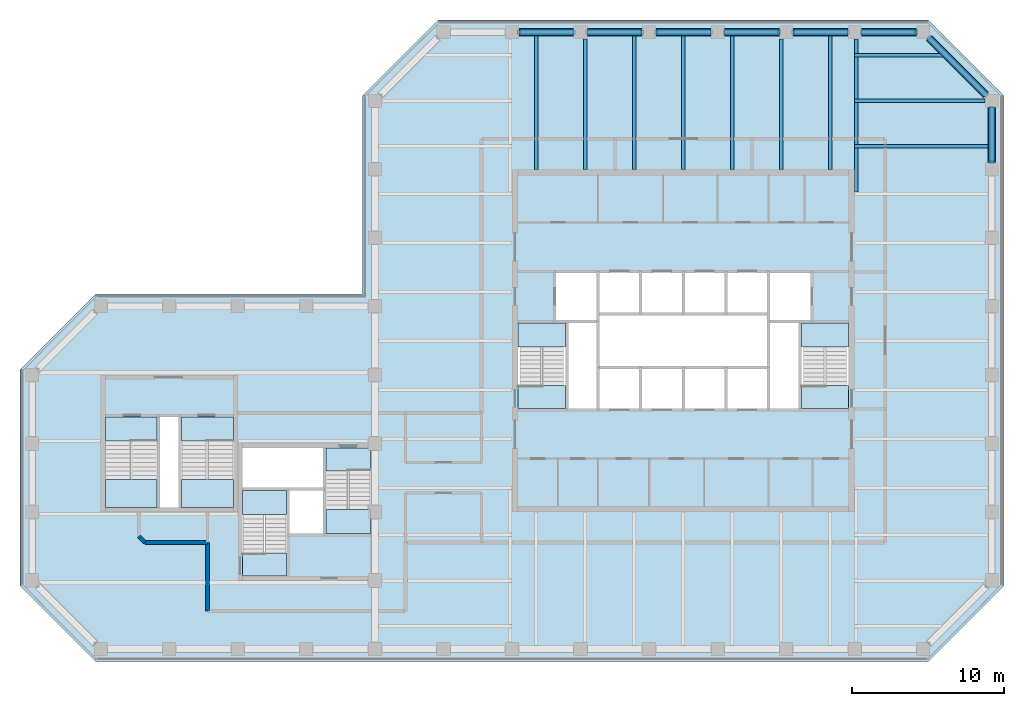
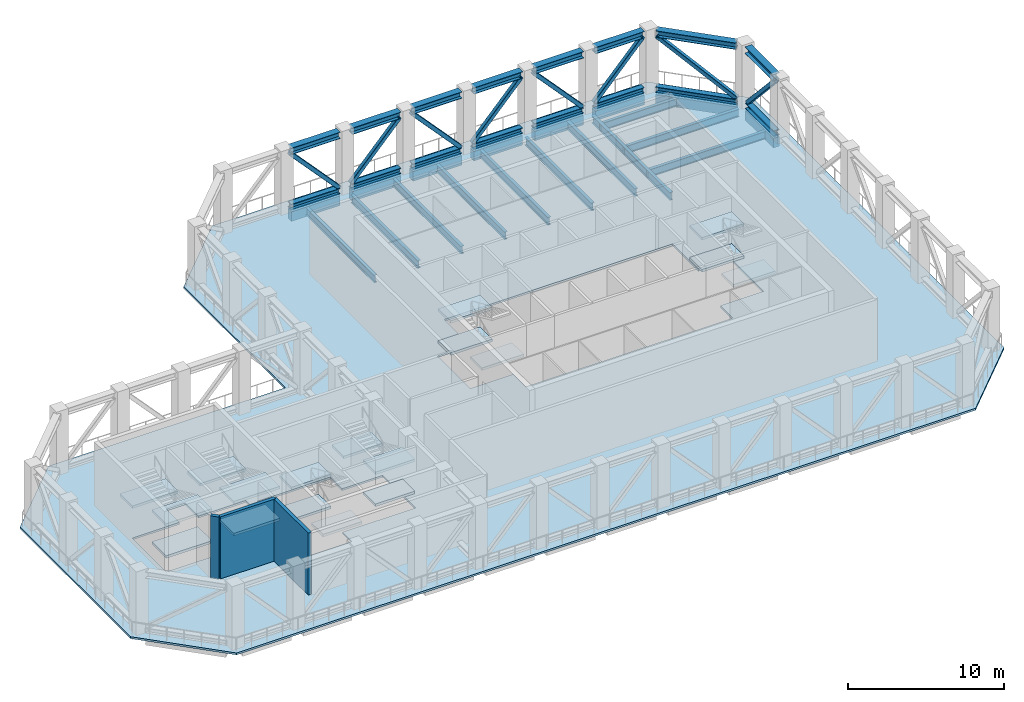
# One storey, part 3 of 13: 24 members, 19 beams, 19 slabs, 3 walls, 6 elements without a shape of their own.
"""IFC4 building model written with IfcOpenShell, lengths in metres."""

from ifc_helpers import new_model, si_unit, direction, frame, frame_2d, origin, origin_2d, place, context, subcontext, project, spatial, polyline, rectangle, hollow_rectangle, i_section, outline, extrude, material, layer, layer_set, material_profile, profile_set, type_object, element, aggregate, save


model = new_model("IFC4")

# Units and contexts
model_context = context("Model", 3, precision=1e-05, world=origin(), true_north=direction((0.0, 1.0)))
body_context = subcontext(model_context, "Body", "Model", "MODEL_VIEW")
ifc_project = project(units=[si_unit("LENGTHUNIT", "METRE"), si_unit("AREAUNIT", "SQUARE_METRE"), si_unit("VOLUMEUNIT", "CUBIC_METRE"), si_unit("PLANEANGLEUNIT", "RADIAN"), si_unit("MASSUNIT", "GRAM", prefix="KILO")], contexts=[model_context])

# Site, building, storey
site_placement = place(None, origin())
site = spatial("IfcSite", under=ifc_project, at=site_placement, CompositionType="ELEMENT")
building_placement = place(site_placement, origin())
building = spatial("IfcBuilding", under=site, at=building_placement, Name="Quoin Convention Tower", CompositionType="ELEMENT")
storey_placement = place(building_placement, frame((0.0, 0.0, 206.89990234375)))
storey = spatial("IfcBuildingStorey", under=building, at=storey_placement, Name="L54", CompositionType="ELEMENT", Elevation=206.89990234375)

# Members
ifc_material_1 = material(Name="Steel C450L0", Category="steel")
ifc_material_profile_1 = material_profile(ifc_material_1, hollow_rectangle(XDim=0.300048828125, YDim=0.300048828125, WallThickness=0.012451171875, InnerFilletRadius=0.018798828125, OuterFilletRadius=0.03125, at=origin_2d()), Name="300x300x12.5SHS")
ifc_profile_set_1 = profile_set([ifc_material_profile_1], Name="Steel C450L0")
member_type_1 = type_object("IfcMemberType", Name="300x300x12.5SHS", PredefinedType="BRACE", material=ifc_profile_set_1)
member_1_placement = place(storey_placement, frame((76.5, 76.050048828125, 0.422119140625), z_axis=(0.0, -0.676970994277, 0.736009696205), x_axis=(1.0, 0.0, 0.0)))
element("IfcMember", 1, at=member_1_placement, inside=storey, type_object=member_type_1, Name="Belt truss L54 diagonal 76500_72000-76500_76500", PredefinedType="BRACE", context=body_context, shape_type="SweptSolid", body=[
    extrude(hollow_rectangle(XDim=0.300048828125, YDim=0.300048828125, WallThickness=0.012451171875, InnerFilletRadius=0.018798828125, OuterFilletRadius=0.03125, at=origin_2d()), origin(), (0.0, 0.0, 1.0), 5.31787109375),
])
member_2_placement = place(storey_placement, frame((76.135009765625, 76.864990234375, 0.422119140625), z_axis=(-0.56999956755, 0.56999956755, 0.591777818091), x_axis=(-0.707106781187, -0.707106781187, 0.0)))
element("IfcMember", 2, at=member_2_placement, inside=storey, type_object=member_type_1, Name="Belt truss L54 diagonal 76500_76500-72000_81000", PredefinedType="BRACE", context=body_context, shape_type="SweptSolid", body=[
    extrude(hollow_rectangle(XDim=0.300048828125, YDim=0.300048828125, WallThickness=0.012451171875, InnerFilletRadius=0.018798828125, OuterFilletRadius=0.03125, at=origin_2d()), origin(), (0.0, 0.0, 1.0), 6.614013671875),
])
for number, where, z_axis, x_axis, name in (
    (3, (67.949951171875, 81.0, 0.422119140625), (0.676970994277, 0.0, 0.736009696205), (0.0, 1.0, 0.0), "Belt truss L54 diagonal 72000_81000-67500_81000"),
    (4, (67.050048828125, 81.0, 0.422119140625), (-0.676970994277, 0.0, 0.736009696205), (0.0, -1.0, 0.0), "Belt truss L54 diagonal 67500_81000-63000_81000"),
    (5, (58.949951171875, 81.0, 0.422119140625), (0.676970994277, 0.0, 0.736009696205), (0.0, 1.0, 0.0), "Belt truss L54 diagonal 63000_81000-58500_81000"),
    (6, (58.050048828125, 81.0, 0.422119140625), (-0.676970994277, 0.0, 0.736009696205), (0.0, -1.0, 0.0), "Belt truss L54 diagonal 58500_81000-54000_81000"),
    (7, (49.949951171875, 81.0, 0.422119140625), (0.676970994277, 0.0, 0.736009696205), (0.0, 1.0, 0.0), "Belt truss L54 diagonal 54000_81000-49500_81000"),
    (8, (49.050048828125, 81.0, 0.422119140625), (-0.676970994277, 0.0, 0.736009696205), (0.0, -1.0, 0.0), "Belt truss L54 diagonal 49500_81000-45000_81000"),
):
    element("IfcMember", number, at=place(storey_placement, frame(where, z_axis=z_axis, x_axis=x_axis)), inside=storey, type_object=member_type_1, Name=name, PredefinedType="BRACE", context=body_context, shape_type="SweptSolid", body=[
        extrude(hollow_rectangle(XDim=0.300048828125, YDim=0.300048828125, WallThickness=0.012451171875, InnerFilletRadius=0.018798828125, OuterFilletRadius=0.03125, at=origin_2d()), origin(), (0.0, 0.0, 1.0), 5.31787109375),
    ])
ifc_material_2 = material(Name="Steel Grade 300", Category="steel")
ifc_material_profile_2 = material_profile(ifc_material_2, i_section(OverallWidth=0.39990234375, OverallDepth=0.422119140625, WebThickness=0.028076171875, FlangeThickness=0.035888671875, at=origin_2d()), Name="400WC303")
ifc_profile_set_2 = profile_set([ifc_material_profile_2], Name="Steel Grade 300")
member_type_2 = type_object("IfcMemberType", Name="400WC303", PredefinedType="CHORD", material=ifc_profile_set_2)
member_3_placement = place(storey_placement, frame((76.5, 72.449951171875, 0.211181640625), z_axis=(0.0, 1.0, 0.0), x_axis=(-1.0, 0.0, 0.0)))
element("IfcMember", 9, at=member_3_placement, inside=storey, type_object=member_type_2, Name="Belt truss L54 bottom chord 76500_72000-76500_76500", PredefinedType="CHORD", context=body_context, shape_type="SweptSolid", body=[
    extrude(i_section(OverallWidth=0.39990234375, OverallDepth=0.422119140625, WebThickness=0.028076171875, FlangeThickness=0.035888671875, at=origin_2d()), origin(), (0.0, 0.0, 1.0), 3.60009765625),
])
member_4_placement = place(storey_placement, frame((76.135009765625, 76.864990234375, 0.211181640625), z_axis=(-0.707106781187, 0.707106781187, 0.0), x_axis=(-0.707106781187, -0.707106781187, 0.0)))
element("IfcMember", 10, at=member_4_placement, inside=storey, type_object=member_type_2, Name="Belt truss L54 bottom chord 76500_76500-72000_81000", PredefinedType="CHORD", context=body_context, shape_type="SweptSolid", body=[
    extrude(i_section(OverallWidth=0.39990234375, OverallDepth=0.422119140625, WebThickness=0.028076171875, FlangeThickness=0.035888671875, at=origin_2d()), origin(), (0.0, 0.0, 1.0), 5.33154296875),
])
for number, where, z_axis, x_axis, name in (
    (11, (71.550048828125, 81.0, 0.211181640625), (-1.0, 0.0, 0.0), (0.0, -1.0, 0.0), "Belt truss L54 bottom chord 72000_81000-67500_81000"),
    (12, (67.050048828125, 81.0, 0.211181640625), (-1.0, 0.0, 0.0), (0.0, -1.0, 0.0), "Belt truss L54 bottom chord 67500_81000-63000_81000"),
    (13, (62.550048828125, 81.0, 0.211181640625), (-1.0, 0.0, 0.0), (0.0, -1.0, 0.0), "Belt truss L54 bottom chord 63000_81000-58500_81000"),
    (14, (58.050048828125, 81.0, 0.211181640625), (-1.0, 0.0, 0.0), (0.0, -1.0, 0.0), "Belt truss L54 bottom chord 58500_81000-54000_81000"),
    (15, (53.550048828125, 81.0, 0.211181640625), (-1.0, 0.0, 0.0), (0.0, -1.0, 0.0), "Belt truss L54 bottom chord 54000_81000-49500_81000"),
    (16, (49.050048828125, 81.0, 0.211181640625), (-1.0, 0.0, 0.0), (0.0, -1.0, 0.0), "Belt truss L54 bottom chord 49500_81000-45000_81000"),
):
    element("IfcMember", number, at=place(storey_placement, frame(where, z_axis=z_axis, x_axis=x_axis)), inside=storey, type_object=member_type_2, Name=name, PredefinedType="CHORD", context=body_context, shape_type="SweptSolid", body=[
        extrude(i_section(OverallWidth=0.39990234375, OverallDepth=0.422119140625, WebThickness=0.028076171875, FlangeThickness=0.035888671875, at=origin_2d()), origin(), (0.0, 0.0, 1.0), 3.60009765625),
    ])
ifc_material_profile_3 = material_profile(ifc_material_2, i_section(OverallWidth=0.5, OverallDepth=0.513916015625, WebThickness=0.02490234375, FlangeThickness=0.031982421875, at=origin_2d()), Name="500WC340")
ifc_profile_set_3 = profile_set([ifc_material_profile_3], Name="Steel Grade 300")
member_type_3 = type_object("IfcMemberType", Name="500WC340", PredefinedType="CHORD", material=ifc_profile_set_3)
member_5_placement = place(storey_placement, frame((76.5, 72.449951171875, 4.593017578125), z_axis=(0.0, 1.0, 0.0), x_axis=(-1.0, 0.0, 0.0)))
element("IfcMember", 17, at=member_5_placement, inside=storey, type_object=member_type_3, Name="Belt truss L54 top chord 76500_72000-76500_76500", PredefinedType="CHORD", context=body_context, shape_type="SweptSolid", body=[
    extrude(i_section(OverallWidth=0.5, OverallDepth=0.513916015625, WebThickness=0.02490234375, FlangeThickness=0.031982421875, at=origin_2d()), origin(), (0.0, 0.0, 1.0), 3.60009765625),
])
member_6_placement = place(storey_placement, frame((76.135009765625, 76.864990234375, 4.593017578125), z_axis=(-0.707106781187, 0.707106781187, 0.0), x_axis=(-0.707106781187, -0.707106781187, 0.0)))
element("IfcMember", 18, at=member_6_placement, inside=storey, type_object=member_type_3, Name="Belt truss L54 top chord 76500_76500-72000_81000", PredefinedType="CHORD", context=body_context, shape_type="SweptSolid", body=[
    extrude(i_section(OverallWidth=0.5, OverallDepth=0.513916015625, WebThickness=0.02490234375, FlangeThickness=0.031982421875, at=origin_2d()), origin(), (0.0, 0.0, 1.0), 5.33154296875),
])
for number, where, z_axis, x_axis, name in (
    (19, (71.550048828125, 81.0, 4.593017578125), (-1.0, 0.0, 0.0), (0.0, -1.0, 0.0), "Belt truss L54 top chord 72000_81000-67500_81000"),
    (20, (67.050048828125, 81.0, 4.593017578125), (-1.0, 0.0, 0.0), (0.0, -1.0, 0.0), "Belt truss L54 top chord 67500_81000-63000_81000"),
    (21, (62.550048828125, 81.0, 4.593017578125), (-1.0, 0.0, 0.0), (0.0, -1.0, 0.0), "Belt truss L54 top chord 63000_81000-58500_81000"),
    (22, (58.050048828125, 81.0, 4.593017578125), (-1.0, 0.0, 0.0), (0.0, -1.0, 0.0), "Belt truss L54 top chord 58500_81000-54000_81000"),
    (23, (53.550048828125, 81.0, 4.593017578125), (-1.0, 0.0, 0.0), (0.0, -1.0, 0.0), "Belt truss L54 top chord 54000_81000-49500_81000"),
    (24, (49.050048828125, 81.0, 4.593017578125), (-1.0, 0.0, 0.0), (0.0, -1.0, 0.0), "Belt truss L54 top chord 49500_81000-45000_81000"),
):
    element("IfcMember", number, at=place(storey_placement, frame(where, z_axis=z_axis, x_axis=x_axis)), inside=storey, type_object=member_type_3, Name=name, PredefinedType="CHORD", context=body_context, shape_type="SweptSolid", body=[
        extrude(i_section(OverallWidth=0.5, OverallDepth=0.513916015625, WebThickness=0.02490234375, FlangeThickness=0.031982421875, at=origin_2d()), origin(), (0.0, 0.0, 1.0), 3.60009765625),
    ])

# Beams
ifc_material_profile_4 = material_profile(ifc_material_2, i_section(OverallWidth=0.22802734375, OverallDepth=0.60205078125, WebThickness=0.010498046875, FlangeThickness=0.014892578125, FilletRadius=0.013916015625, at=origin_2d()), Name="610UB101")
ifc_profile_set_4 = profile_set([ifc_material_profile_4], Name="Steel Grade 300")
beam_type_1 = type_object("IfcBeamType", Name="610UB101", PredefinedType="BEAM", material=ifc_profile_set_4)
beam_1_placement = place(storey_placement, frame((46.607177734375, 72.0, -0.450927734375), z_axis=(0.0, 1.0, 0.0), x_axis=(-1.0, 0.0, 0.0)))
element("IfcBeam", 25, at=beam_1_placement, inside=storey, type_object=beam_type_1, Name="bm-L54-T1N0", PredefinedType="BEAM", context=body_context, shape_type="SweptSolid", body=[
    extrude(i_section(OverallWidth=0.22802734375, OverallDepth=0.60205078125, WebThickness=0.010498046875, FlangeThickness=0.014892578125, FilletRadius=0.013916015625, at=origin_2d()), origin(), (0.0, 0.0, 1.0), 8.77490234375),
])
beam_2_placement = place(storey_placement, frame((49.8212890625, 72.0, -0.450927734375), z_axis=(0.0, 1.0, 0.0), x_axis=(-1.0, 0.0, 0.0)))
element("IfcBeam", 26, at=beam_2_placement, inside=storey, type_object=beam_type_1, Name="bm-L54-T1N1", PredefinedType="BEAM", context=body_context, shape_type="SweptSolid", body=[
    extrude(i_section(OverallWidth=0.22802734375, OverallDepth=0.60205078125, WebThickness=0.010498046875, FlangeThickness=0.014892578125, FilletRadius=0.013916015625, at=origin_2d()), origin(), (0.0, 0.0, 1.0), 8.550048828125),
])
for number, where, z_axis, x_axis, name in (
    (27, (53.03564453125, 72.0, -0.450927734375), (0.0, 1.0, 0.0), (-1.0, 0.0, 0.0), "bm-L54-T1N2"),
    (28, (56.25, 72.0, -0.450927734375), (0.0, 1.0, 0.0), (-1.0, 0.0, 0.0), "bm-L54-T1N3"),
    (29, (59.46435546875, 72.0, -0.450927734375), (0.0, 1.0, 0.0), (-1.0, 0.0, 0.0), "bm-L54-T1N4"),
):
    element("IfcBeam", number, at=place(storey_placement, frame(where, z_axis=z_axis, x_axis=x_axis)), inside=storey, type_object=beam_type_1, Name=name, PredefinedType="BEAM", context=body_context, shape_type="SweptSolid", body=[
        extrude(i_section(OverallWidth=0.22802734375, OverallDepth=0.60205078125, WebThickness=0.010498046875, FlangeThickness=0.014892578125, FilletRadius=0.013916015625, at=origin_2d()), origin(), (0.0, 0.0, 1.0), 8.77490234375),
    ])
beam_3_placement = place(storey_placement, frame((62.6787109375, 72.0, -0.450927734375), z_axis=(0.0, 1.0, 0.0), x_axis=(-1.0, 0.0, 0.0)))
element("IfcBeam", 30, at=beam_3_placement, inside=storey, type_object=beam_type_1, Name="bm-L54-T1N5", PredefinedType="BEAM", context=body_context, shape_type="SweptSolid", body=[
    extrude(i_section(OverallWidth=0.22802734375, OverallDepth=0.60205078125, WebThickness=0.010498046875, FlangeThickness=0.014892578125, FilletRadius=0.013916015625, at=origin_2d()), origin(), (0.0, 0.0, 1.0), 8.550048828125),
])
beam_4_placement = place(storey_placement, frame((65.892822265625, 72.0, -0.450927734375), z_axis=(0.0, 1.0, 0.0), x_axis=(-1.0, 0.0, 0.0)))
element("IfcBeam", 31, at=beam_4_placement, inside=storey, type_object=beam_type_1, Name="bm-L54-T1N6", PredefinedType="BEAM", context=body_context, shape_type="SweptSolid", body=[
    extrude(i_section(OverallWidth=0.22802734375, OverallDepth=0.60205078125, WebThickness=0.010498046875, FlangeThickness=0.014892578125, FilletRadius=0.013916015625, at=origin_2d()), origin(), (0.0, 0.0, 1.0), 8.77490234375),
])
beam_5_placement = place(storey_placement, frame((67.5, 79.5, -0.450927734375), z_axis=(1.0, 0.0, 0.0), x_axis=(0.0, 1.0, 0.0)))
element("IfcBeam", 32, at=beam_5_placement, inside=storey, type_object=beam_type_1, Name="bm-L54-T1NE0", PredefinedType="BEAM", context=body_context, shape_type="SweptSolid", body=[
    extrude(i_section(OverallWidth=0.22802734375, OverallDepth=0.60205078125, WebThickness=0.010498046875, FlangeThickness=0.014892578125, FilletRadius=0.013916015625, at=origin_2d()), origin(), (0.0, 0.0, 1.0), 5.954833984375),
])
beam_6_placement = place(storey_placement, frame((67.5, 76.5, -0.450927734375), z_axis=(1.0, 0.0, 0.0), x_axis=(0.0, 1.0, 0.0)))
element("IfcBeam", 33, at=beam_6_placement, inside=storey, type_object=beam_type_1, Name="bm-L54-T1NE1", PredefinedType="BEAM", context=body_context, shape_type="SweptSolid", body=[
    extrude(i_section(OverallWidth=0.22802734375, OverallDepth=0.60205078125, WebThickness=0.010498046875, FlangeThickness=0.014892578125, FilletRadius=0.013916015625, at=origin_2d()), origin(), (0.0, 0.0, 1.0), 8.550048828125),
])
beam_7_placement = place(storey_placement, frame((67.5, 73.5, -0.450927734375), z_axis=(1.0, 0.0, 0.0), x_axis=(0.0, 1.0, 0.0)))
element("IfcBeam", 34, at=beam_7_placement, inside=storey, type_object=beam_type_1, Name="bm-L54-T1NE2", PredefinedType="BEAM", context=body_context, shape_type="SweptSolid", body=[
    extrude(i_section(OverallWidth=0.22802734375, OverallDepth=0.60205078125, WebThickness=0.010498046875, FlangeThickness=0.014892578125, FilletRadius=0.013916015625, at=origin_2d()), origin(), (0.0, 0.0, 1.0), 8.77490234375),
])
ifc_material_profile_5 = material_profile(ifc_material_2, i_section(OverallWidth=0.22900390625, OverallDepth=0.612060546875, WebThickness=0.011962890625, FlangeThickness=0.01953125, FilletRadius=0.013916015625, at=origin_2d()), Name="610UB125")
ifc_profile_set_5 = profile_set([ifc_material_profile_5], Name="Steel Grade 300")
beam_type_2 = type_object("IfcBeamType", Name="610UB125", PredefinedType="BEAM", material=ifc_profile_set_5)
beam_8_placement = place(storey_placement, frame((67.614501953125, 80.550048828125, -0.455810546875), z_axis=(0.0, -1.0, 0.0), x_axis=(1.0, 0.0, 0.0)))
element("IfcBeam", 35, at=beam_8_placement, inside=storey, type_object=beam_type_2, Name="gir-L54-T1NE", PredefinedType="BEAM", context=body_context, shape_type="SweptSolid", body=[
    extrude(i_section(OverallWidth=0.22900390625, OverallDepth=0.612060546875, WebThickness=0.011962890625, FlangeThickness=0.01953125, FilletRadius=0.013916015625, at=origin_2d()), origin(), (0.0, 0.0, 1.0), 10.043212890625),
])
ifc_material_3 = material(Name="Concrete C50", Category="concrete")
ifc_material_profile_6 = material_profile(ifc_material_3, rectangle(XDim=0.449951171875, YDim=0.75, at=origin_2d()), Name="RC 450x750")
ifc_profile_set_6 = profile_set([ifc_material_profile_6], Name="Concrete C50")
beam_type_3 = type_object("IfcBeamType", Name="RC 450x750 C50", PredefinedType="SPANDREL", material=ifc_profile_set_6)
beam_9_placement = place(storey_placement, frame((76.5, 72.449951171875, -0.52490234375), z_axis=(0.0, 1.0, 0.0), x_axis=(-1.0, 0.0, 0.0)))
element("IfcBeam", 36, at=beam_9_placement, inside=storey, type_object=beam_type_3, Name="spd-L54-76500_72000-76500_76500", PredefinedType="SPANDREL", context=body_context, shape_type="SweptSolid", body=[
    extrude(rectangle(XDim=0.449951171875, YDim=0.75, at=origin_2d()), origin(), (0.0, 0.0, 1.0), 3.60009765625),
])
beam_10_placement = place(storey_placement, frame((76.135009765625, 76.864990234375, -0.52490234375), z_axis=(-0.707106781187, 0.707106781187, 0.0), x_axis=(-0.707106781187, -0.707106781187, 0.0)))
element("IfcBeam", 37, at=beam_10_placement, inside=storey, type_object=beam_type_3, Name="spd-L54-76500_76500-72000_81000", PredefinedType="SPANDREL", context=body_context, shape_type="SweptSolid", body=[
    extrude(rectangle(XDim=0.449951171875, YDim=0.75, at=origin_2d()), origin(), (0.0, 0.0, 1.0), 5.33154296875),
])
for number, where, z_axis, x_axis, name in (
    (38, (71.550048828125, 81.0, -0.52490234375), (-1.0, 0.0, 0.0), (0.0, -1.0, 0.0), "spd-L54-72000_81000-67500_81000"),
    (39, (67.050048828125, 81.0, -0.52490234375), (-1.0, 0.0, 0.0), (0.0, -1.0, 0.0), "spd-L54-67500_81000-63000_81000"),
    (40, (62.550048828125, 81.0, -0.52490234375), (-1.0, 0.0, 0.0), (0.0, -1.0, 0.0), "spd-L54-63000_81000-58500_81000"),
    (41, (58.050048828125, 81.0, -0.52490234375), (-1.0, 0.0, 0.0), (0.0, -1.0, 0.0), "spd-L54-58500_81000-54000_81000"),
    (42, (53.550048828125, 81.0, -0.52490234375), (-1.0, 0.0, 0.0), (0.0, -1.0, 0.0), "spd-L54-54000_81000-49500_81000"),
    (43, (49.050048828125, 81.0, -0.52490234375), (-1.0, 0.0, 0.0), (0.0, -1.0, 0.0), "spd-L54-49500_81000-45000_81000"),
):
    element("IfcBeam", number, at=place(storey_placement, frame(where, z_axis=z_axis, x_axis=x_axis)), inside=storey, type_object=beam_type_3, Name=name, PredefinedType="SPANDREL", context=body_context, shape_type="SweptSolid", body=[
        extrude(rectangle(XDim=0.449951171875, YDim=0.75, at=origin_2d()), origin(), (0.0, 0.0, 1.0), 3.60009765625),
    ])

# Slab
ifc_material_4 = material(Name="Concrete C40", Category="concrete")
ifc_layer_1 = layer(ifc_material_4, 0.14990234375)
ifc_layer_set_1 = layer_set([ifc_layer_1], Name="Concrete C40")
slab_type_1 = type_object("IfcSlabType", Name="COMPOSITE SLAB 150 C40", PredefinedType="FLOOR", material=ifc_layer_set_1)
slab_1_placement = place(storey_placement, frame((0.0, 0.0, -0.14990234375)))
element("IfcSlab", 44, at=slab_1_placement, inside=storey, type_object=slab_type_1, Name="slb-L54", PredefinedType="FLOOR", context=body_context, shape_type="SweptSolid", body=[
    extrude(outline(polyline([(17.668701171875, 39.699951171875), (12.699951171875, 44.668701171875), (12.699951171875, 58.831298828125), (17.668701171875, 63.800048828125), (35.199951171875, 63.800048828125), (35.199951171875, 76.831298828125), (40.168701171875, 81.800048828125), (72.331298828125, 81.800048828125), (77.300048828125, 76.831298828125), (77.300048828125, 44.668701171875), (72.331298828125, 39.699951171875), (17.668701171875, 39.699951171875)]), holes=[polyline([(27.300048828125, 51.0), (27.300048828125, 46.800537109375), (30.300048828125, 46.800537109375), (30.300048828125, 48.0), (32.699951171875, 48.0), (35.699951171875, 48.0), (35.699951171875, 52.199462890625), (32.699951171875, 52.199462890625), (32.699951171875, 53.699951171875), (27.300048828125, 53.699951171875), (27.300048828125, 51.0)]), polyline([(18.300048828125, 49.800048828125), (21.800048828125, 49.800048828125), (23.199951171875, 49.800048828125), (26.699951171875, 49.800048828125), (26.699951171875, 54.1494140625), (23.199951171875, 54.1494140625), (23.199951171875, 55.85009765625), (21.800048828125, 55.85009765625), (21.800048828125, 54.1494140625), (18.300048828125, 54.1494140625), (18.300048828125, 49.800048828125)]), polyline([(48.60009765625, 56.199951171875), (50.64990234375, 56.199951171875), (53.449951171875, 56.199951171875), (56.25, 56.199951171875), (59.050048828125, 56.199951171875), (61.85009765625, 56.199951171875), (63.89990234375, 56.199951171875), (63.89990234375, 57.800537109375), (67.10009765625, 57.800537109375), (67.10009765625, 62.0), (64.699951171875, 62.0), (64.699951171875, 65.300048828125), (61.85009765625, 65.300048828125), (59.050048828125, 65.300048828125), (56.25, 65.300048828125), (53.449951171875, 65.300048828125), (50.64990234375, 65.300048828125), (47.800048828125, 65.300048828125), (47.800048828125, 62.0), (45.39990234375, 62.0), (45.39990234375, 57.800537109375), (48.60009765625, 57.800537109375), (48.60009765625, 56.199951171875)])]), origin(), (0.0, 0.0, 1.0), 0.14990234375),
])

# Stair, slabs
stair_type_1 = type_object("IfcStairType", Name="Exit stair four-flight 1350", PredefinedType="DOUBLE_RETURN_STAIR", material=ifc_material_4)
stair_1_placement = place(storey_placement, origin())
stair_1 = element("IfcStair", 45, at=stair_1_placement, inside=storey, type_object=stair_type_1, Name="SD1 L54", PredefinedType="DOUBLE_RETURN_STAIR")
ifc_layer_2 = layer(ifc_material_4, 0.199951171875)
ifc_layer_set_2 = layer_set([ifc_layer_2], Name="Concrete C40")
slab_type_2 = type_object("IfcSlabType", Name="Stair landing 200", PredefinedType="LANDING", material=ifc_layer_set_2)
slab_2_placement = place(storey_placement, frame((0.0, 0.0, 1.050048828125)))
slab_2 = element("IfcSlab", 46, at=slab_2_placement, type_object=slab_type_2, Name="ST1 landing 1", PredefinedType="LANDING", context=body_context, shape_type="SweptSolid", body=[
    extrude(outline(polyline([(45.39990234375, 60.320068359375), (48.5, 60.320068359375), (48.5, 61.89990234375), (45.39990234375, 61.89990234375), (45.39990234375, 60.320068359375)])), origin(), (0.0, 0.0, 1.0), 0.199951171875),
])
slab_3_placement = place(storey_placement, frame((0.0, 0.0, 2.300048828125)))
slab_3 = element("IfcSlab", 47, at=slab_3_placement, type_object=slab_type_2, Name="ST1 landing 2", PredefinedType="LANDING", context=body_context, shape_type="SweptSolid", body=[
    extrude(outline(polyline([(45.39990234375, 56.300048828125), (48.5, 56.300048828125), (48.5, 57.800048828125), (45.39990234375, 57.800048828125), (45.39990234375, 56.300048828125)])), origin(), (0.0, 0.0, 1.0), 0.199951171875),
])
slab_4_placement = place(storey_placement, frame((0.0, 0.0, 3.550048828125)))
slab_4 = element("IfcSlab", 48, at=slab_4_placement, type_object=slab_type_2, Name="ST1 landing 3", PredefinedType="LANDING", context=body_context, shape_type="SweptSolid", body=[
    extrude(outline(polyline([(45.39990234375, 60.320068359375), (48.5, 60.320068359375), (48.5, 61.89990234375), (45.39990234375, 61.89990234375), (45.39990234375, 60.320068359375)])), origin(), (0.0, 0.0, 1.0), 0.199951171875),
])
aggregate(stair_1, [slab_2, slab_3, slab_4])

stair_2_placement = place(storey_placement, origin())
stair_2 = element("IfcStair", 49, at=stair_2_placement, inside=storey, type_object=stair_type_1, Name="SD2 L54", PredefinedType="DOUBLE_RETURN_STAIR")
slab_5_placement = place(storey_placement, frame((0.0, 0.0, 1.050048828125)))
slab_5 = element("IfcSlab", 50, at=slab_5_placement, type_object=slab_type_2, Name="ST2 landing 1", PredefinedType="LANDING", context=body_context, shape_type="SweptSolid", body=[
    extrude(outline(polyline([(64.0, 60.320068359375), (67.10009765625, 60.320068359375), (67.10009765625, 61.89990234375), (64.0, 61.89990234375), (64.0, 60.320068359375)])), origin(), (0.0, 0.0, 1.0), 0.199951171875),
])
slab_6_placement = place(storey_placement, frame((0.0, 0.0, 2.300048828125)))
slab_6 = element("IfcSlab", 51, at=slab_6_placement, type_object=slab_type_2, Name="ST2 landing 2", PredefinedType="LANDING", context=body_context, shape_type="SweptSolid", body=[
    extrude(outline(polyline([(64.0, 56.300048828125), (67.10009765625, 56.300048828125), (67.10009765625, 57.800048828125), (64.0, 57.800048828125), (64.0, 56.300048828125)])), origin(), (0.0, 0.0, 1.0), 0.199951171875),
])
slab_7_placement = place(storey_placement, frame((0.0, 0.0, 3.550048828125)))
slab_7 = element("IfcSlab", 52, at=slab_7_placement, type_object=slab_type_2, Name="ST2 landing 3", PredefinedType="LANDING", context=body_context, shape_type="SweptSolid", body=[
    extrude(outline(polyline([(64.0, 60.320068359375), (67.10009765625, 60.320068359375), (67.10009765625, 61.89990234375), (64.0, 61.89990234375), (64.0, 60.320068359375)])), origin(), (0.0, 0.0, 1.0), 0.199951171875),
])
aggregate(stair_2, [slab_5, slab_6, slab_7])

stair_3_placement = place(storey_placement, origin())
stair_3 = element("IfcStair", 53, at=stair_3_placement, inside=storey, type_object=stair_type_1, Name="SD3 L54", PredefinedType="DOUBLE_RETURN_STAIR")
slab_8_placement = place(storey_placement, frame((0.0, 0.0, 1.050048828125)))
slab_8 = element("IfcSlab", 54, at=slab_8_placement, type_object=slab_type_2, Name="ST3 landing 1", PredefinedType="LANDING", context=body_context, shape_type="SweptSolid", body=[
    extrude(outline(polyline([(27.300048828125, 49.320068359375), (30.199951171875, 49.320068359375), (30.199951171875, 50.89990234375), (27.300048828125, 50.89990234375), (27.300048828125, 49.320068359375)])), origin(), (0.0, 0.0, 1.0), 0.199951171875),
])
slab_9_placement = place(storey_placement, frame((0.0, 0.0, 2.300048828125)))
slab_9 = element("IfcSlab", 55, at=slab_9_placement, type_object=slab_type_2, Name="ST3 landing 2", PredefinedType="LANDING", context=body_context, shape_type="SweptSolid", body=[
    extrude(outline(polyline([(27.300048828125, 45.300048828125), (30.199951171875, 45.300048828125), (30.199951171875, 46.800048828125), (27.300048828125, 46.800048828125), (27.300048828125, 45.300048828125)])), origin(), (0.0, 0.0, 1.0), 0.199951171875),
])
slab_10_placement = place(storey_placement, frame((0.0, 0.0, 3.550048828125)))
slab_10 = element("IfcSlab", 56, at=slab_10_placement, type_object=slab_type_2, Name="ST3 landing 3", PredefinedType="LANDING", context=body_context, shape_type="SweptSolid", body=[
    extrude(outline(polyline([(27.300048828125, 49.320068359375), (30.199951171875, 49.320068359375), (30.199951171875, 50.89990234375), (27.300048828125, 50.89990234375), (27.300048828125, 49.320068359375)])), origin(), (0.0, 0.0, 1.0), 0.199951171875),
])
aggregate(stair_3, [slab_8, slab_9, slab_10])

stair_4_placement = place(storey_placement, origin())
stair_4 = element("IfcStair", 57, at=stair_4_placement, inside=storey, type_object=stair_type_1, Name="SD4 L54", PredefinedType="DOUBLE_RETURN_STAIR")
slab_11_placement = place(storey_placement, frame((0.0, 0.0, 1.050048828125)))
slab_11 = element("IfcSlab", 58, at=slab_11_placement, type_object=slab_type_2, Name="ST4 landing 1", PredefinedType="LANDING", context=body_context, shape_type="SweptSolid", body=[
    extrude(outline(polyline([(35.699951171875, 49.679931640625), (32.800048828125, 49.679931640625), (32.800048828125, 48.10009765625), (35.699951171875, 48.10009765625), (35.699951171875, 49.679931640625)])), origin(), (0.0, 0.0, 1.0), 0.199951171875),
])
slab_12_placement = place(storey_placement, frame((0.0, 0.0, 2.300048828125)))
slab_12 = element("IfcSlab", 59, at=slab_12_placement, type_object=slab_type_2, Name="ST4 landing 2", PredefinedType="LANDING", context=body_context, shape_type="SweptSolid", body=[
    extrude(outline(polyline([(35.699951171875, 53.699951171875), (32.800048828125, 53.699951171875), (32.800048828125, 52.199951171875), (35.699951171875, 52.199951171875), (35.699951171875, 53.699951171875)])), origin(), (0.0, 0.0, 1.0), 0.199951171875),
])
slab_13_placement = place(storey_placement, frame((0.0, 0.0, 3.550048828125)))
slab_13 = element("IfcSlab", 60, at=slab_13_placement, type_object=slab_type_2, Name="ST4 landing 3", PredefinedType="LANDING", context=body_context, shape_type="SweptSolid", body=[
    extrude(outline(polyline([(35.699951171875, 49.679931640625), (32.800048828125, 49.679931640625), (32.800048828125, 48.10009765625), (35.699951171875, 48.10009765625), (35.699951171875, 49.679931640625)])), origin(), (0.0, 0.0, 1.0), 0.199951171875),
])
aggregate(stair_4, [slab_11, slab_12, slab_13])

stair_type_2 = type_object("IfcStairType", Name="Exit stair four-flight 1600", PredefinedType="DOUBLE_RETURN_STAIR", material=ifc_material_4)
stair_5_placement = place(storey_placement, origin())
stair_5 = element("IfcStair", 61, at=stair_5_placement, inside=storey, type_object=stair_type_2, Name="SD11 L54", PredefinedType="DOUBLE_RETURN_STAIR")
slab_14_placement = place(storey_placement, frame((0.0, 0.0, 1.050048828125)))
slab_14 = element("IfcSlab", 62, at=slab_14_placement, type_object=slab_type_2, Name="ST11 landing 1", PredefinedType="LANDING", context=body_context, shape_type="SweptSolid", body=[
    extrude(outline(polyline([(21.699951171875, 51.6298828125), (18.300048828125, 51.6298828125), (18.300048828125, 49.800048828125), (21.699951171875, 49.800048828125), (21.699951171875, 51.6298828125)])), origin(), (0.0, 0.0, 1.0), 0.199951171875),
])
slab_15_placement = place(storey_placement, frame((0.0, 0.0, 2.300048828125)))
slab_15 = element("IfcSlab", 63, at=slab_15_placement, type_object=slab_type_2, Name="ST11 landing 2", PredefinedType="LANDING", context=body_context, shape_type="SweptSolid", body=[
    extrude(outline(polyline([(21.699951171875, 55.75), (18.300048828125, 55.75), (18.300048828125, 54.14990234375), (21.699951171875, 54.14990234375), (21.699951171875, 55.75)])), origin(), (0.0, 0.0, 1.0), 0.199951171875),
])
slab_16_placement = place(storey_placement, frame((0.0, 0.0, 3.550048828125)))
slab_16 = element("IfcSlab", 64, at=slab_16_placement, type_object=slab_type_2, Name="ST11 landing 3", PredefinedType="LANDING", context=body_context, shape_type="SweptSolid", body=[
    extrude(outline(polyline([(21.699951171875, 51.6298828125), (18.300048828125, 51.6298828125), (18.300048828125, 49.800048828125), (21.699951171875, 49.800048828125), (21.699951171875, 51.6298828125)])), origin(), (0.0, 0.0, 1.0), 0.199951171875),
])
aggregate(stair_5, [slab_14, slab_15, slab_16])

stair_6_placement = place(storey_placement, origin())
stair_6 = element("IfcStair", 65, at=stair_6_placement, inside=storey, type_object=stair_type_2, Name="SD12 L54", PredefinedType="DOUBLE_RETURN_STAIR")
slab_17_placement = place(storey_placement, frame((0.0, 0.0, 1.050048828125)))
slab_17 = element("IfcSlab", 66, at=slab_17_placement, type_object=slab_type_2, Name="ST12 landing 1", PredefinedType="LANDING", context=body_context, shape_type="SweptSolid", body=[
    extrude(outline(polyline([(26.699951171875, 51.6298828125), (23.300048828125, 51.6298828125), (23.300048828125, 49.800048828125), (26.699951171875, 49.800048828125), (26.699951171875, 51.6298828125)])), origin(), (0.0, 0.0, 1.0), 0.199951171875),
])
slab_18_placement = place(storey_placement, frame((0.0, 0.0, 2.300048828125)))
slab_18 = element("IfcSlab", 67, at=slab_18_placement, type_object=slab_type_2, Name="ST12 landing 2", PredefinedType="LANDING", context=body_context, shape_type="SweptSolid", body=[
    extrude(outline(polyline([(26.699951171875, 55.75), (23.300048828125, 55.75), (23.300048828125, 54.14990234375), (26.699951171875, 54.14990234375), (26.699951171875, 55.75)])), origin(), (0.0, 0.0, 1.0), 0.199951171875),
])
slab_19_placement = place(storey_placement, frame((0.0, 0.0, 3.550048828125)))
slab_19 = element("IfcSlab", 68, at=slab_19_placement, type_object=slab_type_2, Name="ST12 landing 3", PredefinedType="LANDING", context=body_context, shape_type="SweptSolid", body=[
    extrude(outline(polyline([(26.699951171875, 51.6298828125), (23.300048828125, 51.6298828125), (23.300048828125, 49.800048828125), (26.699951171875, 49.800048828125), (26.699951171875, 51.6298828125)])), origin(), (0.0, 0.0, 1.0), 0.199951171875),
])
aggregate(stair_6, [slab_17, slab_18, slab_19])

# Walls
ifc_material_5 = material(Name="Plasterboard")
ifc_layer_3 = layer(ifc_material_5, 0.012451171875, Name="Finish")
ifc_material_6 = material(Name="Steel stud framing", Category="steel")
ifc_layer_4 = layer(ifc_material_6, 0.22509765625, Name="Structure")
ifc_layer_5 = layer(ifc_material_5, 0.012451171875, Name="Finish")
ifc_layer_set_3 = layer_set([ifc_layer_3, ifc_layer_4, ifc_layer_5], Name="Steel stud framing")
wall_type = type_object("IfcWallType", Name="refuge enclosure wall", PredefinedType="PARTITIONING", material=ifc_layer_set_3)
wall_1_placement = place(storey_placement, frame((25.0, 43.0, 0.0), z_axis=(0.0, 0.0, 1.0), x_axis=(0.0, 1.0, 0.0)))
element("IfcWall", 69, at=wall_1_placement, inside=storey, type_object=wall_type, Name="pw-L54-002", PredefinedType="PARTITIONING", context=body_context, shape_type="SweptSolid", body=[
    extrude(rectangle(XDim=4.5, YDim=0.25, at=frame_2d((2.25, 0.0))), origin(), (0.0, 0.0, 1.0), 4.85009765625),
])
wall_2_placement = place(storey_placement, frame((20.89892578125, 47.5, 0.0), z_axis=(0.0, 0.0, 1.0), x_axis=(1.0, 0.0, 0.0)))
element("IfcWall", 70, at=wall_2_placement, inside=storey, type_object=wall_type, Name="pw-L54-004", PredefinedType="PARTITIONING", context=body_context, shape_type="SweptSolid", body=[
    extrude(rectangle(XDim=4.10107421875, YDim=0.25, at=frame_2d((2.050537109375, 0.0))), origin(), (0.0, 0.0, 1.0), 4.85009765625),
])
wall_3_placement = place(storey_placement, frame((20.5, 47.89892578125, 0.0), z_axis=(0.0, 0.0, 1.0), x_axis=(0.707106781187, -0.707106781187, 0.0)))
element("IfcWall", 71, at=wall_3_placement, inside=storey, type_object=wall_type, Name="pw-L54-007", PredefinedType="PARTITIONING", context=body_context, shape_type="SweptSolid", body=[
    extrude(rectangle(XDim=0.564208984375, YDim=0.25, at=frame_2d((0.2822265625, 0.0))), origin(), (0.0, 0.0, 1.0), 4.85009765625),
])

save(model, "model.ifc")
